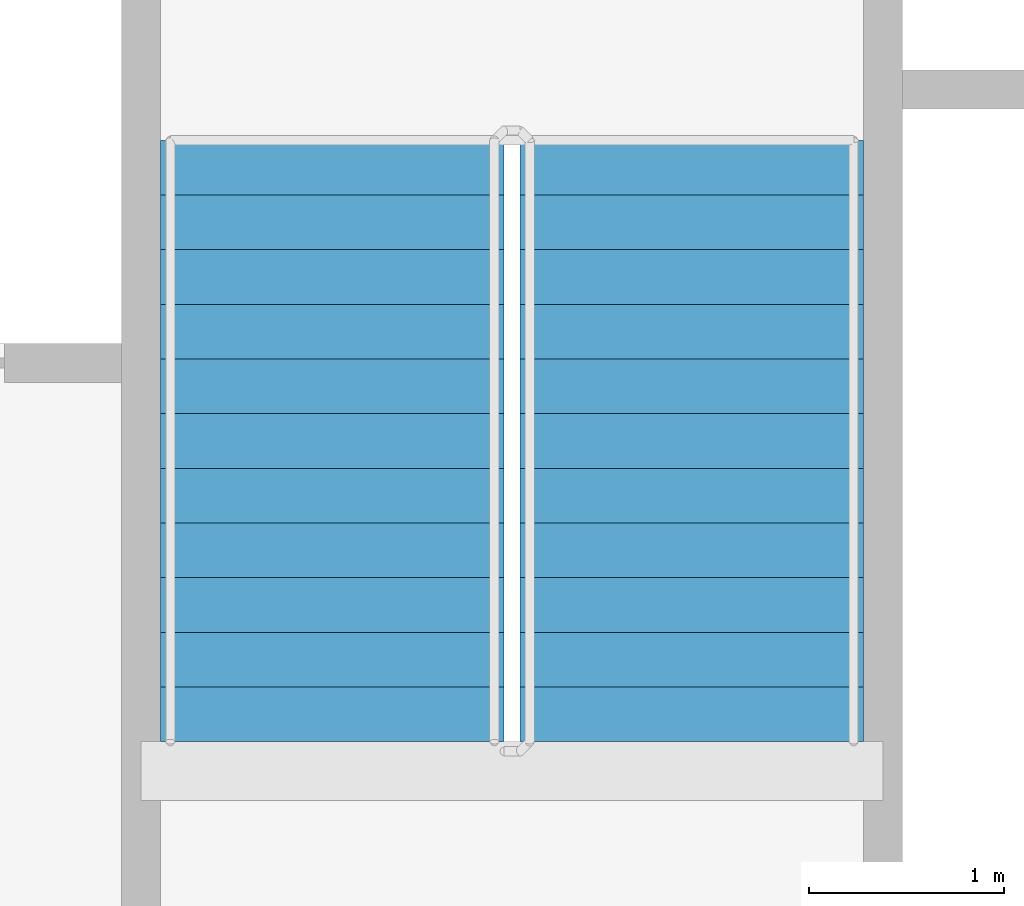
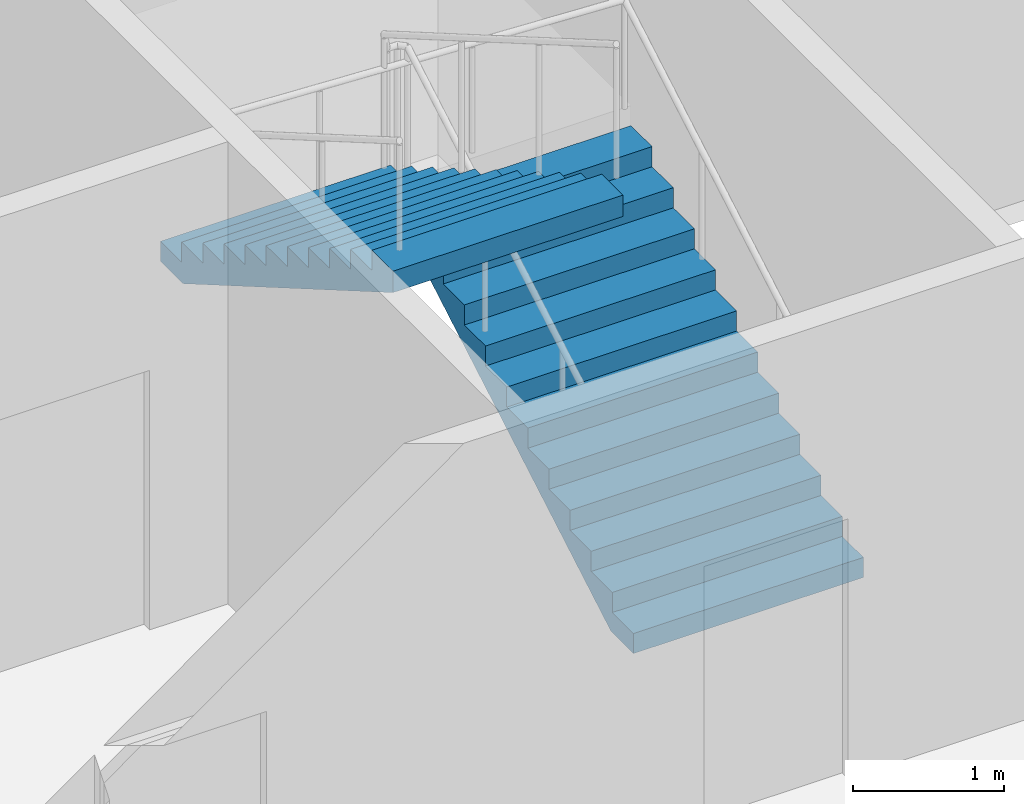
# One storey, part 17 of 22: 2 stair flights, 1 element without a shape of its own.
"""IFC4 building model written with IfcOpenShell, lengths in metres."""

import ifcopenshell
import ifcopenshell.guid

model = None  # the IFC model being written
_history = None  # IfcOwnerHistory: only IFC2X3 demands one
_inside = {}  # id of a spatial element -> (the spatial element, [elements in it])
_under = {}  # id of a project, library or spatial element -> (it, [spatial elements below it])
_declared = {}  # id of a project -> (the project, [libraries it declares])
_typed = {}  # id of a type object -> (the type object, [elements of that type])
_made_of = {}  # id of a material, layer set ... -> (it, [elements and type objects made of it])


def new_model(schema):
    """Start an empty IFC model of exactly this schema.

    Asked for "IFC4X3", IfcOpenShell would pick the latest addendum, in which some entities
    have other attributes; the version numbers below select the first issue.
    IFC2X3 requires an IfcOwnerHistory on every rooted entity: one is made here for all.
    """
    global model, _history
    if schema == "IFC4X3":
        model = ifcopenshell.file(schema_version=(4, 3, 0, 0))
    else:
        model = ifcopenshell.file(schema=schema)
    _inside.clear()
    _under.clear()
    _declared.clear()
    _typed.clear()
    _made_of.clear()
    _history = None
    if model.schema == "IFC2X3":
        org = make("IfcOrganization", Name="unknown")
        user = make(
            "IfcPersonAndOrganization",
            ThePerson=make("IfcPerson", FamilyName="unknown"),
            TheOrganization=org,
        )
        app = make(
            "IfcApplication",
            ApplicationDeveloper=org,
            Version="unknown",
            ApplicationFullName="unknown",
            ApplicationIdentifier="unknown",
        )
        _history = make(
            "IfcOwnerHistory",
            OwningUser=user,
            OwningApplication=app,
            ChangeAction="ADDED",
            CreationDate=0,
        )
    return model


def make(cls, **values):
    """One entity of the class cls with the attributes given. An attribute that is None is left unset."""
    return model.create_entity(
        cls, **{name: value for name, value in values.items() if value is not None}
    )


def rooted(cls, **values):
    """An entity with a GlobalId (a new one), such as an element, a storey or a relation."""
    return make(cls, GlobalId=ifcopenshell.guid.new(), OwnerHistory=_history, **values)


def si_unit(unit_type, name, prefix=None):
    """IfcSIUnit, for example si_unit("LENGTHUNIT", "METRE", prefix="MILLI")."""
    return make("IfcSIUnit", UnitType=unit_type, Prefix=prefix, Name=name)


def assignment(units):
    """IfcUnitAssignment: the units of a project."""
    return None if units is None else make("IfcUnitAssignment", Units=units)


def point(xyz):
    """IfcCartesianPoint."""
    return None if xyz is None else make("IfcCartesianPoint", Coordinates=xyz)


def direction(xyz):
    """IfcDirection."""
    return None if xyz is None else make("IfcDirection", DirectionRatios=xyz)


def frame(location, z_axis=None, x_axis=None):
    """IfcAxis2Placement3D, a coordinate frame: its origin and axes. An axis left out is left unset."""
    return make(
        "IfcAxis2Placement3D",
        Location=point(location),
        Axis=direction(z_axis),
        RefDirection=direction(x_axis),
    )


def origin():
    """The frame at (0, 0, 0) with its axes left unset."""
    return frame((0.0, 0.0, 0.0))


def place(relative_to, where):
    """IfcLocalPlacement: puts the frame where relative to a parent placement (None: the world)."""
    return make(
        "IfcLocalPlacement", PlacementRelTo=relative_to, RelativePlacement=where
    )


def context(
    kind, dimensions, precision=None, world=None, true_north=None, identifier=None
):
    """IfcGeometricRepresentationContext, for example the 3D "Model" context."""
    return make(
        "IfcGeometricRepresentationContext",
        ContextIdentifier=identifier,
        ContextType=kind,
        CoordinateSpaceDimension=dimensions,
        Precision=precision,
        WorldCoordinateSystem=world,
        TrueNorth=true_north,
    )


def subcontext(parent, identifier, kind, view, scale=None):
    """IfcGeometricRepresentationSubContext, for example "Body" below "Model"."""
    return make(
        "IfcGeometricRepresentationSubContext",
        ContextIdentifier=identifier,
        ContextType=kind,
        ParentContext=parent,
        TargetScale=scale,
        TargetView=view,
    )


def project(units=None, contexts=None):
    """IfcProject with its units and contexts."""
    return rooted(
        "IfcProject",
        Name="project",
        RepresentationContexts=contexts,
        UnitsInContext=assignment(units),
    )


def spatial(cls, under=None, at=None, **own):
    """A site, building, storey or space (cls), placed at a placement, below another one or the project."""
    s = rooted(cls, ObjectPlacement=at, **own)
    if under is not None:
        _under.setdefault(under.id(), (under, []))[1].append(s)
    return s


def faces_of(points, faces, orient=None, outer=None):
    """IfcFace entities. A face is a list of loops; a loop is a list of indices into points, from 0.

    orient and outer hold one flag for each loop. By default every Orientation is true, the
    first loop of a face is its IfcFaceOuterBound and the others are IfcFaceBound.
    """
    made = []
    for i, loops in enumerate(faces):
        bounds = []
        for j, loop in enumerate(loops):
            is_outer = j == 0 if outer is None else outer[i][j]
            bounds.append(
                make(
                    "IfcFaceOuterBound" if is_outer else "IfcFaceBound",
                    Bound=make("IfcPolyLoop", Polygon=[points[k] for k in loop]),
                    Orientation=True if orient is None else orient[i][j],
                )
            )
        made.append(make("IfcFace", Bounds=bounds))
    return made


def faceted_brep(points, faces, orient=None, outer=None, voids=None):
    """IfcFacetedBrep: a solid bounded by flat faces; with voids (closed shells), ...WithVoids."""
    shared = [point(p) for p in points]
    hull = make("IfcClosedShell", CfsFaces=faces_of(shared, faces, orient, outer))
    if voids is None:
        return make("IfcFacetedBrep", Outer=hull)
    return make(
        "IfcFacetedBrepWithVoids",
        Outer=hull,
        Voids=[
            make(cls, CfsFaces=faces_of(shared, fs, o, b)) for cls, fs, o, b in voids
        ],
    )


def shape(context_of_items, identifier, shape_type, items):
    """IfcShapeRepresentation: the items that make up one representation, for example the "Body"."""
    return make(
        "IfcShapeRepresentation",
        ContextOfItems=context_of_items,
        RepresentationIdentifier=identifier,
        RepresentationType=shape_type,
        Items=items,
    )


def material(Name=None, Category=None):
    """IfcMaterial."""
    return make("IfcMaterial", Name=Name, Category=Category)


def made_of(thing, what):
    """Note that an element or type object is made of a material, layer set ...; save() writes the relation."""
    if what is not None:
        _made_of.setdefault(what.id(), (what, []))[1].append(thing)
    return thing


def type_object(cls, material=None, **own):
    """A type object (cls), such as IfcWallType, which elements share."""
    return made_of(rooted(cls, **own), material)


def element(
    cls,
    number,
    at=None,
    inside=None,
    cuts=None,
    type_object=None,
    material=None,
    context=None,
    identifier="Body",
    shape_type=None,
    held_by="IfcProductDefinitionShape",
    body=None,
    shapes=None,
    **own,
):
    """One element of the class cls, such as IfcWall. Its Tag is "e" and its number.

    at: its placement. inside: the storey or other place that contains it. cuts: it is an
    opening in that element (IfcRelVoidsElement). A single representation is given by context,
    identifier, shape_type and body (its items); several are given by shapes. held_by: the class
    of the entity that holds the representations. save() writes the other relations.
    """
    e = rooted(cls, Tag="e%d" % number, ObjectPlacement=at, **own)
    if body is not None:
        shapes = [shape(context, identifier, shape_type, body)]
    if shapes is not None:
        e.Representation = make(held_by, Representations=shapes)
    if inside is not None:
        _inside.setdefault(inside.id(), (inside, []))[1].append(e)
    if cuts is not None:
        rooted(
            "IfcRelVoidsElement", RelatingBuildingElement=cuts, RelatedOpeningElement=e
        )
    if type_object is not None:
        _typed.setdefault(type_object.id(), (type_object, []))[1].append(e)
    return made_of(e, material)


def aggregate(whole, parts):
    """IfcRelAggregates: a whole, such as a stair, and the parts it consists of."""
    return rooted("IfcRelAggregates", RelatingObject=whole, RelatedObjects=parts)


def save(model, path):
    """Write the relations noted so far, then the file.

    IfcRelAggregates (storeys below a building ...), IfcRelContainedInSpatialStructure (elements
    in a storey), IfcRelDefinesByType, IfcRelAssociatesMaterial and IfcRelDeclares: one each for
    every whole, place, type object, material and project.
    """
    for whole, parts in _under.values():
        aggregate(whole, parts)
    for where, things in _inside.values():
        rooted(
            "IfcRelContainedInSpatialStructure",
            RelatedElements=things,
            RelatingStructure=where,
        )
    for kind, things in _typed.values():
        rooted("IfcRelDefinesByType", RelatedObjects=things, RelatingType=kind)
    for what, things in _made_of.values():
        rooted("IfcRelAssociatesMaterial", RelatedObjects=things, RelatingMaterial=what)
    for by, libraries in _declared.values():
        rooted("IfcRelDeclares", RelatingContext=by, RelatedDefinitions=libraries)
    model.write(path)


model = new_model("IFC4")

# Units and contexts
model_context = context("Model", 3, precision=1e-05, world=origin(), true_north=direction((0.0, 1.0)))
body_context = subcontext(model_context, "Body", "Model", "MODEL_VIEW")
ifc_project = project(units=[si_unit("LENGTHUNIT", "METRE"), si_unit("AREAUNIT", "SQUARE_METRE"), si_unit("VOLUMEUNIT", "CUBIC_METRE"), si_unit("PLANEANGLEUNIT", "RADIAN"), si_unit("MASSUNIT", "GRAM", prefix="KILO")], contexts=[model_context])

# Site, building, storey
site_placement = place(None, origin())
site = spatial("IfcSite", under=ifc_project, at=site_placement, CompositionType="ELEMENT")
building_placement = place(site_placement, origin())
building = spatial("IfcBuilding", under=site, at=building_placement, Name="Tarsis Ring Headquarters", CompositionType="ELEMENT")
storey_placement = place(building_placement, frame((0.0, 0.0, 339.199951171875)))
storey = spatial("IfcBuildingStorey", under=building, at=storey_placement, Name="L80", CompositionType="ELEMENT", Elevation=339.199951171875)

# Stair, stair flights
ifc_material_1 = material(Name="Core stair 1760")
stair_type = type_object("IfcStairType", Name="Core stair 1760", PredefinedType="HALF_TURN_STAIR", material=ifc_material_1)
stair_placement = place(storey_placement, origin())
stair = element("IfcStair", 1, at=stair_placement, inside=storey, type_object=stair_type, Name="L80 Exit stair B", PredefinedType="HALF_TURN_STAIR")
ifc_material_2 = material(Name="Concrete C40/50", Category="concrete")
stair_flight_type = type_object("IfcStairFlightType", Name="Core stair flight 1760", PredefinedType="STRAIGHT", material=ifc_material_2)
stair_flight_1_placement = place(storey_placement, frame((5.419921875, 3.659912109375, 0.0), z_axis=(0.0, 0.0, 1.0), x_axis=(0.0, 1.0, 0.0)))
stair_flight_1 = element("IfcStairFlight", 2, at=stair_flight_1_placement, type_object=stair_flight_type, Name="Stair ST2 flight 1", NumberOfRisers=12, NumberOfTreads=11, PredefinedType="STRAIGHT", RiserHeight=0.1625, TreadLength=0.28, context=body_context, shape_type="Brep", body=[
    faceted_brep([(0.0, 0.8798828125, 0.0), (0.0, 0.8798828125, 0.16259765625), (0.280029296875, 0.8798828125, 0.16259765625), (0.280029296875, 0.8798828125, 0.324951171875), (0.56005859375, 0.8798828125, 0.324951171875), (0.56005859375, 0.8798828125, 0.487548828125), (0.840087890625, 0.8798828125, 0.487548828125), (0.840087890625, 0.8798828125, 0.64990234375), (1.1201171875, 0.8798828125, 0.64990234375), (1.1201171875, 0.8798828125, 0.8125), (1.39990234375, 0.8798828125, 0.8125), (1.39990234375, 0.8798828125, 0.97509765625), (1.679931640625, 0.8798828125, 0.97509765625), (1.679931640625, 0.8798828125, 1.137451171875), (1.9599609375, 0.8798828125, 1.137451171875), (1.9599609375, 0.8798828125, 1.300048828125), (2.239990234375, 0.8798828125, 1.300048828125), (2.239990234375, 0.8798828125, 1.46240234375), (2.52001953125, 0.8798828125, 1.46240234375), (2.52001953125, 0.8798828125, 1.625), (2.800048828125, 0.8798828125, 1.625), (2.800048828125, 0.8798828125, 1.78759765625), (3.080078125, 0.8798828125, 1.78759765625), (3.080078125, 0.8798828125, 1.6142578125), (0.298583984375, 0.8798828125, 0.0), (0.298583984375, -0.8798828125, 0.0), (3.080078125, -0.8798828125, 1.6142578125), (3.080078125, -0.8798828125, 1.78759765625), (2.800048828125, -0.8798828125, 1.78759765625), (2.800048828125, -0.8798828125, 1.625), (2.52001953125, -0.8798828125, 1.625), (2.52001953125, -0.8798828125, 1.46240234375), (2.239990234375, -0.8798828125, 1.46240234375), (2.239990234375, -0.8798828125, 1.300048828125), (1.9599609375, -0.8798828125, 1.300048828125), (1.9599609375, -0.8798828125, 1.137451171875), (1.679931640625, -0.8798828125, 1.137451171875), (1.679931640625, -0.8798828125, 0.97509765625), (1.39990234375, -0.8798828125, 0.97509765625), (1.39990234375, -0.8798828125, 0.8125), (1.1201171875, -0.8798828125, 0.8125), (1.1201171875, -0.8798828125, 0.64990234375), (0.840087890625, -0.8798828125, 0.64990234375), (0.840087890625, -0.8798828125, 0.487548828125), (0.56005859375, -0.8798828125, 0.487548828125), (0.56005859375, -0.8798828125, 0.324951171875), (0.280029296875, -0.8798828125, 0.324951171875), (0.280029296875, -0.8798828125, 0.16259765625), (0.0, -0.8798828125, 0.16259765625), (0.0, -0.8798828125, 0.0), (0.0, -0.43994140625, 0.16259765625), (0.0, -0.43994140625, 0.0), (0.0, 0.0, 0.16259765625), (0.0, 0.0, 0.0), (0.0, 0.43994140625, 0.16259765625), (0.0, 0.43994140625, 0.0), (0.280029296875, -0.43994140625, 0.16259765625), (0.280029296875, 0.0, 0.16259765625), (0.280029296875, 0.43994140625, 0.16259765625), (0.280029296875, -0.43994140625, 0.324951171875), (0.280029296875, 0.0, 0.324951171875), (0.280029296875, 0.43994140625, 0.324951171875), (0.56005859375, -0.43994140625, 0.324951171875), (0.56005859375, 0.0, 0.324951171875), (0.56005859375, 0.43994140625, 0.324951171875), (0.56005859375, -0.43994140625, 0.487548828125), (0.56005859375, 0.0, 0.487548828125), (0.56005859375, 0.43994140625, 0.487548828125), (0.840087890625, -0.43994140625, 0.487548828125), (0.840087890625, 0.0, 0.487548828125), (0.840087890625, 0.43994140625, 0.487548828125), (0.840087890625, -0.43994140625, 0.64990234375), (0.840087890625, 0.0, 0.64990234375), (0.840087890625, 0.43994140625, 0.64990234375), (1.1201171875, -0.43994140625, 0.64990234375), (1.1201171875, 0.0, 0.64990234375), (1.1201171875, 0.43994140625, 0.64990234375), (1.1201171875, -0.43994140625, 0.8125), (1.1201171875, 0.0, 0.8125), (1.1201171875, 0.43994140625, 0.8125), (1.39990234375, -0.43994140625, 0.8125), (1.39990234375, 0.0, 0.8125), (1.39990234375, 0.43994140625, 0.8125), (1.39990234375, -0.43994140625, 0.97509765625), (1.39990234375, 0.0, 0.97509765625), (1.39990234375, 0.43994140625, 0.97509765625), (1.679931640625, -0.43994140625, 0.97509765625), (1.679931640625, 0.0, 0.97509765625), (1.679931640625, 0.43994140625, 0.97509765625), (1.679931640625, -0.43994140625, 1.137451171875), (1.679931640625, 0.0, 1.137451171875), (1.679931640625, 0.43994140625, 1.137451171875), (1.9599609375, -0.43994140625, 1.137451171875), (1.9599609375, 0.0, 1.137451171875), (1.9599609375, 0.43994140625, 1.137451171875), (1.9599609375, -0.43994140625, 1.300048828125), (1.9599609375, 0.0, 1.300048828125), (1.9599609375, 0.43994140625, 1.300048828125), (2.239990234375, -0.43994140625, 1.300048828125), (2.239990234375, 0.0, 1.300048828125), (2.239990234375, 0.43994140625, 1.300048828125), (2.239990234375, -0.43994140625, 1.46240234375), (2.239990234375, 0.0, 1.46240234375), (2.239990234375, 0.43994140625, 1.46240234375), (2.52001953125, -0.43994140625, 1.46240234375), (2.52001953125, 0.0, 1.46240234375), (2.52001953125, 0.43994140625, 1.46240234375), (2.52001953125, -0.43994140625, 1.625), (2.52001953125, 0.0, 1.625), (2.52001953125, 0.43994140625, 1.625), (2.800048828125, -0.43994140625, 1.625), (2.800048828125, 0.0, 1.625), (2.800048828125, 0.43994140625, 1.625), (2.800048828125, -0.43994140625, 1.78759765625), (2.800048828125, 0.0, 1.78759765625), (2.800048828125, 0.43994140625, 1.78759765625), (3.080078125, -0.43994140625, 1.78759765625), (3.080078125, 0.0, 1.78759765625), (3.080078125, 0.43994140625, 1.78759765625), (3.080078125, -0.43994140625, 1.6142578125), (3.080078125, 0.0, 1.6142578125), (3.080078125, 0.43994140625, 1.6142578125), (0.298583984375, -0.43994140625, 0.0), (0.298583984375, 0.0, 0.0), (0.298583984375, 0.43994140625, 0.0)], [[[0, 1, 2, 3, 4, 5, 6, 7, 8, 9, 10, 11, 12, 13, 14, 15, 16, 17, 18, 19, 20, 21, 22, 23, 24]], [[25, 26, 27, 28, 29, 30, 31, 32, 33, 34, 35, 36, 37, 38, 39, 40, 41, 42, 43, 44, 45, 46, 47, 48, 49]], [[49, 48, 50, 51]], [[51, 50, 52, 53]], [[53, 52, 54, 55]], [[55, 54, 1, 0]], [[48, 47, 56, 50]], [[50, 56, 57, 52]], [[52, 57, 58, 54]], [[54, 58, 2, 1]], [[47, 46, 59, 56]], [[56, 59, 60, 57]], [[57, 60, 61, 58]], [[58, 61, 3, 2]], [[46, 45, 62, 59]], [[59, 62, 63, 60]], [[60, 63, 64, 61]], [[61, 64, 4, 3]], [[45, 44, 65, 62]], [[62, 65, 66, 63]], [[63, 66, 67, 64]], [[64, 67, 5, 4]], [[44, 43, 68, 65]], [[65, 68, 69, 66]], [[66, 69, 70, 67]], [[67, 70, 6, 5]], [[43, 42, 71, 68]], [[68, 71, 72, 69]], [[69, 72, 73, 70]], [[70, 73, 7, 6]], [[42, 41, 74, 71]], [[71, 74, 75, 72]], [[72, 75, 76, 73]], [[73, 76, 8, 7]], [[41, 40, 77, 74]], [[74, 77, 78, 75]], [[75, 78, 79, 76]], [[76, 79, 9, 8]], [[40, 39, 80, 77]], [[77, 80, 81, 78]], [[78, 81, 82, 79]], [[79, 82, 10, 9]], [[39, 38, 83, 80]], [[80, 83, 84, 81]], [[81, 84, 85, 82]], [[82, 85, 11, 10]], [[38, 37, 86, 83]], [[83, 86, 87, 84]], [[84, 87, 88, 85]], [[85, 88, 12, 11]], [[37, 36, 89, 86]], [[86, 89, 90, 87]], [[87, 90, 91, 88]], [[88, 91, 13, 12]], [[36, 35, 92, 89]], [[89, 92, 93, 90]], [[90, 93, 94, 91]], [[91, 94, 14, 13]], [[35, 34, 95, 92]], [[92, 95, 96, 93]], [[93, 96, 97, 94]], [[94, 97, 15, 14]], [[34, 33, 98, 95]], [[95, 98, 99, 96]], [[96, 99, 100, 97]], [[97, 100, 16, 15]], [[33, 32, 101, 98]], [[98, 101, 102, 99]], [[99, 102, 103, 100]], [[100, 103, 17, 16]], [[32, 31, 104, 101]], [[101, 104, 105, 102]], [[102, 105, 106, 103]], [[103, 106, 18, 17]], [[31, 30, 107, 104]], [[104, 107, 108, 105]], [[105, 108, 109, 106]], [[106, 109, 19, 18]], [[30, 29, 110, 107]], [[107, 110, 111, 108]], [[108, 111, 112, 109]], [[109, 112, 20, 19]], [[29, 28, 113, 110]], [[110, 113, 114, 111]], [[111, 114, 115, 112]], [[112, 115, 21, 20]], [[28, 27, 116, 113]], [[113, 116, 117, 114]], [[114, 117, 118, 115]], [[115, 118, 22, 21]], [[27, 26, 119, 116]], [[116, 119, 120, 117]], [[117, 120, 121, 118]], [[118, 121, 23, 22]], [[26, 25, 122, 119]], [[119, 122, 123, 120]], [[120, 123, 124, 121]], [[121, 124, 24, 23]], [[25, 49, 51, 122]], [[122, 51, 53, 123]], [[123, 53, 55, 124]], [[124, 55, 0, 24]]]),
])
stair_flight_2_placement = place(storey_placement, frame((3.580078125, 6.739990234375, 1.949951171875), z_axis=(0.0, 0.0, 1.0), x_axis=(0.0, -1.0, 0.0)))
stair_flight_2 = element("IfcStairFlight", 3, at=stair_flight_2_placement, type_object=stair_flight_type, Name="Stair ST2 flight 2", NumberOfRisers=12, NumberOfTreads=11, PredefinedType="STRAIGHT", RiserHeight=0.1625, TreadLength=0.28, context=body_context, shape_type="Brep", body=[
    faceted_brep([(0.0, 0.8798828125, 0.0), (0.0, 0.8798828125, 0.16259765625), (0.280029296875, 0.8798828125, 0.16259765625), (0.280029296875, 0.8798828125, 0.324951171875), (0.56005859375, 0.8798828125, 0.324951171875), (0.56005859375, 0.8798828125, 0.487548828125), (0.840087890625, 0.8798828125, 0.487548828125), (0.840087890625, 0.8798828125, 0.64990234375), (1.1201171875, 0.8798828125, 0.64990234375), (1.1201171875, 0.8798828125, 0.8125), (1.39990234375, 0.8798828125, 0.8125), (1.39990234375, 0.8798828125, 0.97509765625), (1.679931640625, 0.8798828125, 0.97509765625), (1.679931640625, 0.8798828125, 1.137451171875), (1.9599609375, 0.8798828125, 1.137451171875), (1.9599609375, 0.8798828125, 1.300048828125), (2.239990234375, 0.8798828125, 1.300048828125), (2.239990234375, 0.8798828125, 1.46240234375), (2.52001953125, 0.8798828125, 1.46240234375), (2.52001953125, 0.8798828125, 1.625), (2.800048828125, 0.8798828125, 1.625), (2.800048828125, 0.8798828125, 1.78759765625), (3.080078125, 0.8798828125, 1.78759765625), (3.080078125, 0.8798828125, 1.6142578125), (0.298583984375, 0.8798828125, 0.0), (0.298583984375, -0.8798828125, 0.0), (3.080078125, -0.8798828125, 1.6142578125), (3.080078125, -0.8798828125, 1.78759765625), (2.800048828125, -0.8798828125, 1.78759765625), (2.800048828125, -0.8798828125, 1.625), (2.52001953125, -0.8798828125, 1.625), (2.52001953125, -0.8798828125, 1.46240234375), (2.239990234375, -0.8798828125, 1.46240234375), (2.239990234375, -0.8798828125, 1.300048828125), (1.9599609375, -0.8798828125, 1.300048828125), (1.9599609375, -0.8798828125, 1.137451171875), (1.679931640625, -0.8798828125, 1.137451171875), (1.679931640625, -0.8798828125, 0.97509765625), (1.39990234375, -0.8798828125, 0.97509765625), (1.39990234375, -0.8798828125, 0.8125), (1.1201171875, -0.8798828125, 0.8125), (1.1201171875, -0.8798828125, 0.64990234375), (0.840087890625, -0.8798828125, 0.64990234375), (0.840087890625, -0.8798828125, 0.487548828125), (0.56005859375, -0.8798828125, 0.487548828125), (0.56005859375, -0.8798828125, 0.324951171875), (0.280029296875, -0.8798828125, 0.324951171875), (0.280029296875, -0.8798828125, 0.16259765625), (0.0, -0.8798828125, 0.16259765625), (0.0, -0.8798828125, 0.0), (0.0, -0.43994140625, 0.16259765625), (0.0, -0.43994140625, 0.0), (0.0, 0.0, 0.16259765625), (0.0, 0.0, 0.0), (0.0, 0.43994140625, 0.16259765625), (0.0, 0.43994140625, 0.0), (0.280029296875, -0.43994140625, 0.16259765625), (0.280029296875, 0.0, 0.16259765625), (0.280029296875, 0.43994140625, 0.16259765625), (0.280029296875, -0.43994140625, 0.324951171875), (0.280029296875, 0.0, 0.324951171875), (0.280029296875, 0.43994140625, 0.324951171875), (0.56005859375, -0.43994140625, 0.324951171875), (0.56005859375, 0.0, 0.324951171875), (0.56005859375, 0.43994140625, 0.324951171875), (0.56005859375, -0.43994140625, 0.487548828125), (0.56005859375, 0.0, 0.487548828125), (0.56005859375, 0.43994140625, 0.487548828125), (0.840087890625, -0.43994140625, 0.487548828125), (0.840087890625, 0.0, 0.487548828125), (0.840087890625, 0.43994140625, 0.487548828125), (0.840087890625, -0.43994140625, 0.64990234375), (0.840087890625, 0.0, 0.64990234375), (0.840087890625, 0.43994140625, 0.64990234375), (1.1201171875, -0.43994140625, 0.64990234375), (1.1201171875, 0.0, 0.64990234375), (1.1201171875, 0.43994140625, 0.64990234375), (1.1201171875, -0.43994140625, 0.8125), (1.1201171875, 0.0, 0.8125), (1.1201171875, 0.43994140625, 0.8125), (1.39990234375, -0.43994140625, 0.8125), (1.39990234375, 0.0, 0.8125), (1.39990234375, 0.43994140625, 0.8125), (1.39990234375, -0.43994140625, 0.97509765625), (1.39990234375, 0.0, 0.97509765625), (1.39990234375, 0.43994140625, 0.97509765625), (1.679931640625, -0.43994140625, 0.97509765625), (1.679931640625, 0.0, 0.97509765625), (1.679931640625, 0.43994140625, 0.97509765625), (1.679931640625, -0.43994140625, 1.137451171875), (1.679931640625, 0.0, 1.137451171875), (1.679931640625, 0.43994140625, 1.137451171875), (1.9599609375, -0.43994140625, 1.137451171875), (1.9599609375, 0.0, 1.137451171875), (1.9599609375, 0.43994140625, 1.137451171875), (1.9599609375, -0.43994140625, 1.300048828125), (1.9599609375, 0.0, 1.300048828125), (1.9599609375, 0.43994140625, 1.300048828125), (2.239990234375, -0.43994140625, 1.300048828125), (2.239990234375, 0.0, 1.300048828125), (2.239990234375, 0.43994140625, 1.300048828125), (2.239990234375, -0.43994140625, 1.46240234375), (2.239990234375, 0.0, 1.46240234375), (2.239990234375, 0.43994140625, 1.46240234375), (2.52001953125, -0.43994140625, 1.46240234375), (2.52001953125, 0.0, 1.46240234375), (2.52001953125, 0.43994140625, 1.46240234375), (2.52001953125, -0.43994140625, 1.625), (2.52001953125, 0.0, 1.625), (2.52001953125, 0.43994140625, 1.625), (2.800048828125, -0.43994140625, 1.625), (2.800048828125, 0.0, 1.625), (2.800048828125, 0.43994140625, 1.625), (2.800048828125, -0.43994140625, 1.78759765625), (2.800048828125, 0.0, 1.78759765625), (2.800048828125, 0.43994140625, 1.78759765625), (3.080078125, -0.43994140625, 1.78759765625), (3.080078125, 0.0, 1.78759765625), (3.080078125, 0.43994140625, 1.78759765625), (3.080078125, -0.43994140625, 1.6142578125), (3.080078125, 0.0, 1.6142578125), (3.080078125, 0.43994140625, 1.6142578125), (0.298583984375, -0.43994140625, 0.0), (0.298583984375, 0.0, 0.0), (0.298583984375, 0.43994140625, 0.0)], [[[0, 1, 2, 3, 4, 5, 6, 7, 8, 9, 10, 11, 12, 13, 14, 15, 16, 17, 18, 19, 20, 21, 22, 23, 24]], [[25, 26, 27, 28, 29, 30, 31, 32, 33, 34, 35, 36, 37, 38, 39, 40, 41, 42, 43, 44, 45, 46, 47, 48, 49]], [[49, 48, 50, 51]], [[51, 50, 52, 53]], [[53, 52, 54, 55]], [[55, 54, 1, 0]], [[48, 47, 56, 50]], [[50, 56, 57, 52]], [[52, 57, 58, 54]], [[54, 58, 2, 1]], [[47, 46, 59, 56]], [[56, 59, 60, 57]], [[57, 60, 61, 58]], [[58, 61, 3, 2]], [[46, 45, 62, 59]], [[59, 62, 63, 60]], [[60, 63, 64, 61]], [[61, 64, 4, 3]], [[45, 44, 65, 62]], [[62, 65, 66, 63]], [[63, 66, 67, 64]], [[64, 67, 5, 4]], [[44, 43, 68, 65]], [[65, 68, 69, 66]], [[66, 69, 70, 67]], [[67, 70, 6, 5]], [[43, 42, 71, 68]], [[68, 71, 72, 69]], [[69, 72, 73, 70]], [[70, 73, 7, 6]], [[42, 41, 74, 71]], [[71, 74, 75, 72]], [[72, 75, 76, 73]], [[73, 76, 8, 7]], [[41, 40, 77, 74]], [[74, 77, 78, 75]], [[75, 78, 79, 76]], [[76, 79, 9, 8]], [[40, 39, 80, 77]], [[77, 80, 81, 78]], [[78, 81, 82, 79]], [[79, 82, 10, 9]], [[39, 38, 83, 80]], [[80, 83, 84, 81]], [[81, 84, 85, 82]], [[82, 85, 11, 10]], [[38, 37, 86, 83]], [[83, 86, 87, 84]], [[84, 87, 88, 85]], [[85, 88, 12, 11]], [[37, 36, 89, 86]], [[86, 89, 90, 87]], [[87, 90, 91, 88]], [[88, 91, 13, 12]], [[36, 35, 92, 89]], [[89, 92, 93, 90]], [[90, 93, 94, 91]], [[91, 94, 14, 13]], [[35, 34, 95, 92]], [[92, 95, 96, 93]], [[93, 96, 97, 94]], [[94, 97, 15, 14]], [[34, 33, 98, 95]], [[95, 98, 99, 96]], [[96, 99, 100, 97]], [[97, 100, 16, 15]], [[33, 32, 101, 98]], [[98, 101, 102, 99]], [[99, 102, 103, 100]], [[100, 103, 17, 16]], [[32, 31, 104, 101]], [[101, 104, 105, 102]], [[102, 105, 106, 103]], [[103, 106, 18, 17]], [[31, 30, 107, 104]], [[104, 107, 108, 105]], [[105, 108, 109, 106]], [[106, 109, 19, 18]], [[30, 29, 110, 107]], [[107, 110, 111, 108]], [[108, 111, 112, 109]], [[109, 112, 20, 19]], [[29, 28, 113, 110]], [[110, 113, 114, 111]], [[111, 114, 115, 112]], [[112, 115, 21, 20]], [[28, 27, 116, 113]], [[113, 116, 117, 114]], [[114, 117, 118, 115]], [[115, 118, 22, 21]], [[27, 26, 119, 116]], [[116, 119, 120, 117]], [[117, 120, 121, 118]], [[118, 121, 23, 22]], [[26, 25, 122, 119]], [[119, 122, 123, 120]], [[120, 123, 124, 121]], [[121, 124, 24, 23]], [[25, 49, 51, 122]], [[122, 51, 53, 123]], [[123, 53, 55, 124]], [[124, 55, 0, 24]]]),
])
aggregate(stair, [stair_flight_1, stair_flight_2])

save(model, "model.ifc")
